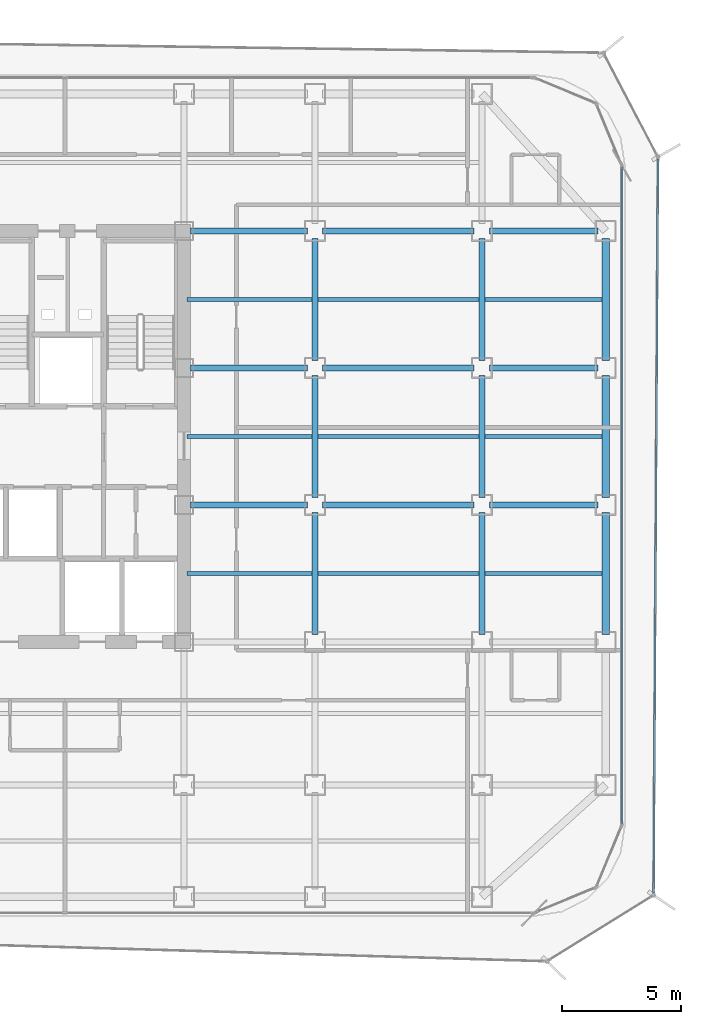
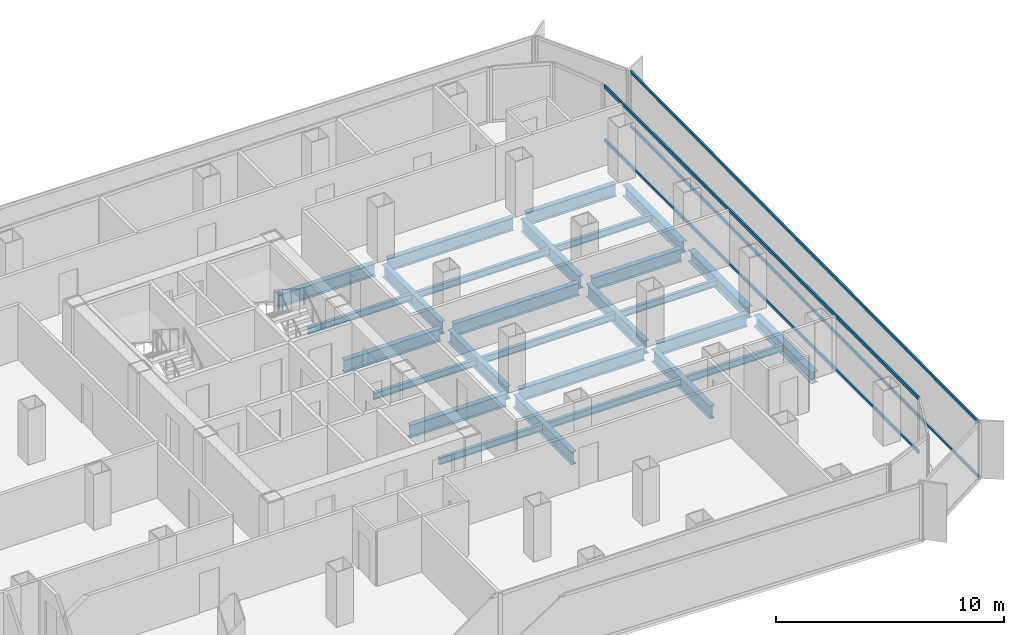
# One storey, part 9 of 21: 27 beams, 4 members, 2 elements without a shape of their own.
"""IFC4 building model written with IfcOpenShell, lengths in metres."""

from ifc_helpers import new_model, si_unit, direction, frame, origin, origin_2d, place, context, subcontext, project, spatial, hollow_rectangle, i_section, extrude, source, transform, mapped, material, layer, layer_set, material_profile, profile_set, type_object, element, aggregate, save


model = new_model("IFC4")

# Units and contexts
model_context = context("Model", 3, precision=1e-05, world=origin(), true_north=direction((0.0, 1.0)))
body_context = subcontext(model_context, "Body", "Model", "MODEL_VIEW")
ifc_project = project(units=[si_unit("LENGTHUNIT", "METRE"), si_unit("AREAUNIT", "SQUARE_METRE"), si_unit("VOLUMEUNIT", "CUBIC_METRE"), si_unit("PLANEANGLEUNIT", "RADIAN"), si_unit("MASSUNIT", "GRAM", prefix="KILO")], contexts=[model_context])

# Site, building, storey
site_placement = place(None, origin())
site = spatial("IfcSite", under=ifc_project, at=site_placement, CompositionType="ELEMENT")
building_placement = place(site_placement, origin())
building = spatial("IfcBuilding", under=site, at=building_placement, Name="Kolveth Station Tower", CompositionType="ELEMENT")
storey_placement = place(building_placement, frame((0.0, 0.0, 131.10009765625)))
storey = spatial("IfcBuildingStorey", under=building, at=storey_placement, Name="L36", CompositionType="ELEMENT", Elevation=131.10009765625)

# Beams
ifc_material_1 = material(Name="Steel S355", Category="steel")
ifc_material_profile_1 = material_profile(ifc_material_1, i_section(OverallWidth=0.323974609375, OverallDepth=0.611083984375, WebThickness=0.0126953125, FlangeThickness=0.01904296875, at=origin_2d()), Name="W610x155")
ifc_profile_set_1 = profile_set([ifc_material_profile_1], Name="Steel S355")
beam_type_1 = type_object("IfcBeamType", Name="Beam_SP2", PredefinedType="SPANDREL", material=ifc_profile_set_1)
shared_shape_1 = source(origin(), body_context, "Body", "SweptSolid", [
    extrude(i_section(OverallWidth=0.323974609375, OverallDepth=0.611083984375, WebThickness=0.0126953125, FlangeThickness=0.01904296875, at=origin_2d()), origin(), (0.0, 0.0, 1.0), 5.10986328125),
])
for number, where, z_axis, x_axis, name in (
    (1, (46.199951171875, 11.820068359375, -0.5556640625), (0.0, 1.0, 0.0), (-1.0, 0.0, 0.0), "L36 Perimeter Spandrel BM-L36-PE-2"),
    (2, (46.199951171875, 17.570068359375, -0.5556640625), (0.0, 1.0, 0.0), (-1.0, 0.0, 0.0), "L36 Perimeter Spandrel BM-L36-PE-3"),
    (3, (46.199951171875, 23.320068359375, -0.5556640625), (0.0, 1.0, 0.0), (-1.0, 0.0, 0.0), "L36 Perimeter Spandrel BM-L36-PE-4"),
):
    element("IfcBeam", number, at=place(storey_placement, frame(where, z_axis=z_axis, x_axis=x_axis)), inside=storey, type_object=beam_type_1, Name=name, PredefinedType="SPANDREL", context=body_context, shape_type="MappedRepresentation", body=[
        mapped(shared_shape_1, transform((0.0, 0.0, 0.0), x_axis=(1.0, 0.0, 0.0), y_axis=(0.0, 1.0, 0.0), z_axis=(0.0, 0.0, 1.0), scale=1.0)),
    ])
ifc_material_profile_2 = material_profile(ifc_material_1, i_section(OverallWidth=0.25390625, OverallDepth=0.68798828125, WebThickness=0.01318359375, FlangeThickness=0.02099609375, at=origin_2d()), Name="W690x152")
ifc_profile_set_2 = profile_set([ifc_material_profile_2], Name="Steel S355")
beam_type_2 = type_object("IfcBeamType", Name="Beam_B4", PredefinedType="BEAM", material=ifc_profile_set_2)
shared_shape_2 = source(origin(), body_context, "Body", "SweptSolid", [
    extrude(i_section(OverallWidth=0.25390625, OverallDepth=0.68798828125, WebThickness=0.01318359375, FlangeThickness=0.02099609375, at=origin_2d()), origin(), (0.0, 0.0, 1.0), 4.559814453125),
])
for number, where, z_axis, x_axis, name in (
    (4, (41.320068359375, 17.25, -0.593994140625), (1.0, 0.0, 0.0), (0.0, 1.0, 0.0), "L36 Primary Girder BM-L36-GY172-7"),
    (5, (41.320068359375, 23.0, -0.593994140625), (1.0, 0.0, 0.0), (0.0, 1.0, 0.0), "L36 Primary Girder BM-L36-GY230-7"),
    (6, (41.320068359375, 28.75, -0.593994140625), (1.0, 0.0, 0.0), (0.0, 1.0, 0.0), "L36 Primary Girder BM-L36-GY287-7"),
):
    element("IfcBeam", number, at=place(storey_placement, frame(where, z_axis=z_axis, x_axis=x_axis)), inside=storey, type_object=beam_type_2, Name=name, PredefinedType="BEAM", context=body_context, shape_type="MappedRepresentation", body=[
        mapped(shared_shape_2, transform((0.0, 0.0, 0.0), x_axis=(1.0, 0.0, 0.0), y_axis=(0.0, 1.0, 0.0), z_axis=(0.0, 0.0, 1.0), scale=1.0)),
    ])
shared_shape_3 = source(origin(), body_context, "Body", "SweptSolid", [
    extrude(i_section(OverallWidth=0.25390625, OverallDepth=0.68798828125, WebThickness=0.01318359375, FlangeThickness=0.02099609375, at=origin_2d()), origin(), (0.0, 0.0, 1.0), 6.35986328125),
])
for number, where, z_axis, x_axis, name in (
    (7, (34.320068359375, 17.25, -0.593994140625), (1.0, 0.0, 0.0), (0.0, 1.0, 0.0), "L36 Primary Girder BM-L36-GY172-6"),
    (8, (34.320068359375, 23.0, -0.593994140625), (1.0, 0.0, 0.0), (0.0, 1.0, 0.0), "L36 Primary Girder BM-L36-GY230-6"),
    (9, (34.320068359375, 28.75, -0.593994140625), (1.0, 0.0, 0.0), (0.0, 1.0, 0.0), "L36 Primary Girder BM-L36-GY287-6"),
):
    element("IfcBeam", number, at=place(storey_placement, frame(where, z_axis=z_axis, x_axis=x_axis)), inside=storey, type_object=beam_type_2, Name=name, PredefinedType="BEAM", context=body_context, shape_type="MappedRepresentation", body=[
        mapped(shared_shape_3, transform((0.0, 0.0, 0.0), x_axis=(1.0, 0.0, 0.0), y_axis=(0.0, 1.0, 0.0), z_axis=(0.0, 0.0, 1.0), scale=1.0)),
    ])
shared_shape_4 = source(origin(), body_context, "Body", "SweptSolid", [
    extrude(i_section(OverallWidth=0.25390625, OverallDepth=0.68798828125, WebThickness=0.01318359375, FlangeThickness=0.02099609375, at=origin_2d()), origin(), (0.0, 0.0, 1.0), 4.89990234375),
])
for number, where, z_axis, x_axis, name in (
    (10, (28.780029296875, 17.25, -0.593994140625), (1.0, 0.0, 0.0), (0.0, 1.0, 0.0), "L36 Primary Girder BM-L36-GY172-5"),
    (11, (28.780029296875, 23.0, -0.593994140625), (1.0, 0.0, 0.0), (0.0, 1.0, 0.0), "L36 Primary Girder BM-L36-GY230-5"),
    (12, (28.780029296875, 28.75, -0.593994140625), (1.0, 0.0, 0.0), (0.0, 1.0, 0.0), "L36 Primary Girder BM-L36-GY287-5"),
):
    element("IfcBeam", number, at=place(storey_placement, frame(where, z_axis=z_axis, x_axis=x_axis)), inside=storey, type_object=beam_type_2, Name=name, PredefinedType="BEAM", context=body_context, shape_type="MappedRepresentation", body=[
        mapped(shared_shape_4, transform((0.0, 0.0, 0.0), x_axis=(1.0, 0.0, 0.0), y_axis=(0.0, 1.0, 0.0), z_axis=(0.0, 0.0, 1.0), scale=1.0)),
    ])
shared_shape_5 = source(origin(), body_context, "Body", "SweptSolid", [
    extrude(i_section(OverallWidth=0.25390625, OverallDepth=0.68798828125, WebThickness=0.01318359375, FlangeThickness=0.02099609375, at=origin_2d()), origin(), (0.0, 0.0, 1.0), 5.10986328125),
])
for number, where, z_axis, x_axis, name in (
    (13, (34.0, 11.820068359375, -0.593994140625), (0.0, 1.0, 0.0), (-1.0, 0.0, 0.0), "L36 Primary Girder BM-L36-GX340-3"),
    (14, (34.0, 17.570068359375, -0.593994140625), (0.0, 1.0, 0.0), (-1.0, 0.0, 0.0), "L36 Primary Girder BM-L36-GX340-4"),
    (15, (34.0, 23.320068359375, -0.593994140625), (0.0, 1.0, 0.0), (-1.0, 0.0, 0.0), "L36 Primary Girder BM-L36-GX340-5"),
    (16, (41.0, 11.820068359375, -0.593994140625), (0.0, 1.0, 0.0), (-1.0, 0.0, 0.0), "L36 Primary Girder BM-L36-GX410-3"),
    (17, (41.0, 17.570068359375, -0.593994140625), (0.0, 1.0, 0.0), (-1.0, 0.0, 0.0), "L36 Primary Girder BM-L36-GX410-4"),
    (18, (41.0, 23.320068359375, -0.593994140625), (0.0, 1.0, 0.0), (-1.0, 0.0, 0.0), "L36 Primary Girder BM-L36-GX410-5"),
):
    element("IfcBeam", number, at=place(storey_placement, frame(where, z_axis=z_axis, x_axis=x_axis)), inside=storey, type_object=beam_type_2, Name=name, PredefinedType="BEAM", context=body_context, shape_type="MappedRepresentation", body=[
        mapped(shared_shape_5, transform((0.0, 0.0, 0.0), x_axis=(1.0, 0.0, 0.0), y_axis=(0.0, 1.0, 0.0), z_axis=(0.0, 0.0, 1.0), scale=1.0)),
    ])
ifc_material_profile_3 = material_profile(ifc_material_1, i_section(OverallWidth=0.1708984375, OverallDepth=0.35205078125, WebThickness=0.0068359375, FlangeThickness=0.009765625, at=origin_2d()), Name="W360x44")
ifc_profile_set_3 = profile_set([ifc_material_profile_3], Name="Steel S355")
beam_type_3 = type_object("IfcBeamType", Name="Beam_J2", PredefinedType="JOIST", material=ifc_profile_set_3)
shared_shape_6 = source(origin(), body_context, "Body", "SweptSolid", [
    extrude(i_section(OverallWidth=0.1708984375, OverallDepth=0.35205078125, WebThickness=0.0068359375, FlangeThickness=0.009765625, at=origin_2d()), origin(), (0.0, 0.0, 1.0), 4.9150390625),
])
for number, where, z_axis, x_axis, name in (
    (19, (41.125, 14.375, -0.426025390625), (1.0, 0.0, 0.0), (0.0, 1.0, 0.0), "L36 Secondary Joist JST-L36-7-3"),
    (20, (41.125, 20.125, -0.426025390625), (1.0, 0.0, 0.0), (0.0, 1.0, 0.0), "L36 Secondary Joist JST-L36-7-4"),
    (21, (41.125, 25.875, -0.426025390625), (1.0, 0.0, 0.0), (0.0, 1.0, 0.0), "L36 Secondary Joist JST-L36-7-5"),
):
    element("IfcBeam", number, at=place(storey_placement, frame(where, z_axis=z_axis, x_axis=x_axis)), inside=storey, type_object=beam_type_3, Name=name, PredefinedType="JOIST", context=body_context, shape_type="MappedRepresentation", body=[
        mapped(shared_shape_6, transform((0.0, 0.0, 0.0), x_axis=(1.0, 0.0, 0.0), y_axis=(0.0, 1.0, 0.0), z_axis=(0.0, 0.0, 1.0), scale=1.0)),
    ])
shared_shape_7 = source(origin(), body_context, "Body", "SweptSolid", [
    extrude(i_section(OverallWidth=0.1708984375, OverallDepth=0.35205078125, WebThickness=0.0068359375, FlangeThickness=0.009765625, at=origin_2d()), origin(), (0.0, 0.0, 1.0), 6.75),
])
for number, where, z_axis, x_axis, name in (
    (22, (34.125, 14.375, -0.426025390625), (1.0, 0.0, 0.0), (0.0, 1.0, 0.0), "L36 Secondary Joist JST-L36-6-3"),
    (23, (34.125, 20.125, -0.426025390625), (1.0, 0.0, 0.0), (0.0, 1.0, 0.0), "L36 Secondary Joist JST-L36-6-4"),
    (24, (34.125, 25.875, -0.426025390625), (1.0, 0.0, 0.0), (0.0, 1.0, 0.0), "L36 Secondary Joist JST-L36-6-5"),
):
    element("IfcBeam", number, at=place(storey_placement, frame(where, z_axis=z_axis, x_axis=x_axis)), inside=storey, type_object=beam_type_3, Name=name, PredefinedType="JOIST", context=body_context, shape_type="MappedRepresentation", body=[
        mapped(shared_shape_7, transform((0.0, 0.0, 0.0), x_axis=(1.0, 0.0, 0.0), y_axis=(0.0, 1.0, 0.0), z_axis=(0.0, 0.0, 1.0), scale=1.0)),
    ])
shared_shape_8 = source(origin(), body_context, "Body", "SweptSolid", [
    extrude(i_section(OverallWidth=0.1708984375, OverallDepth=0.35205078125, WebThickness=0.0068359375, FlangeThickness=0.009765625, at=origin_2d()), origin(), (0.0, 0.0, 1.0), 5.25),
])
for number, where, z_axis, x_axis, name in (
    (25, (28.625, 14.375, -0.426025390625), (1.0, 0.0, 0.0), (0.0, 1.0, 0.0), "L36 Secondary Joist JST-L36-5-3"),
    (26, (28.625, 20.125, -0.426025390625), (1.0, 0.0, 0.0), (0.0, 1.0, 0.0), "L36 Secondary Joist JST-L36-5-4"),
    (27, (28.625, 25.875, -0.426025390625), (1.0, 0.0, 0.0), (0.0, 1.0, 0.0), "L36 Secondary Joist JST-L36-5-5"),
):
    element("IfcBeam", number, at=place(storey_placement, frame(where, z_axis=z_axis, x_axis=x_axis)), inside=storey, type_object=beam_type_3, Name=name, PredefinedType="JOIST", context=body_context, shape_type="MappedRepresentation", body=[
        mapped(shared_shape_8, transform((0.0, 0.0, 0.0), x_axis=(1.0, 0.0, 0.0), y_axis=(0.0, 1.0, 0.0), z_axis=(0.0, 0.0, 1.0), scale=1.0)),
    ])

# Curtain wall, members
ifc_material_2 = material(Name="Aluminium 6063-T6 and low-E dark glass", Category="aluminium")
ifc_layer_1 = layer(ifc_material_2, 0.18994140625)
ifc_layer_set_1 = layer_set([ifc_layer_1], Name="Aluminium 6063-T6 and low-E dark glass")
curtain_wall_type_1 = type_object("IfcCurtainWallType", Name="CurtainWall_CW-Z2", PredefinedType="NOTDEFINED", material=ifc_layer_set_1)
curtain_wall_1_placement = place(storey_placement, origin())
curtain_wall_1 = element("IfcCurtainWall", 28, at=curtain_wall_1_placement, inside=storey, type_object=curtain_wall_type_1, Name="L36 Inner Thermal Curtain Wall 3", PredefinedType="NOTDEFINED")
ifc_material_3 = material(Name="Black anodized aluminium 6063-T6", Category="aluminium")
ifc_material_profile_4 = material_profile(ifc_material_3, hollow_rectangle(XDim=0.080078125, YDim=0.169921875, WallThickness=0.0048828125, at=origin_2d()), Name="ALU-80x170x5")
ifc_profile_set_4 = profile_set([ifc_material_profile_4], Name="Black anodized aluminium 6063-T6")
member_type_1 = type_object("IfcMemberType", Name="Transom_TR2", PredefinedType="USERDEFINED", material=ifc_profile_set_4)
shared_shape_9 = source(origin(), body_context, "Body", "SweptSolid", [
    extrude(hollow_rectangle(XDim=0.080078125, YDim=0.169921875, WallThickness=0.0048828125, at=origin_2d()), origin(), (0.0, 0.0, 1.0), 27.5400390625),
])
member_1_placement = place(storey_placement, frame((46.8798828125, 3.8798828125, 0.039794921875), z_axis=(0.0, 1.0, 0.0), x_axis=(-1.0, 0.0, 0.0)))
member_1 = element("IfcMember", 29, at=member_1_placement, type_object=member_type_1, Name="CW-Z2 transom 1.1", ObjectType="TRANSOM", PredefinedType="USERDEFINED", context=body_context, shape_type="MappedRepresentation", body=[
    mapped(shared_shape_9, transform((0.0, 0.0, 0.0), x_axis=(1.0, 0.0, 0.0), y_axis=(0.0, 1.0, 0.0), z_axis=(0.0, 0.0, 1.0), scale=1.0)),
])
member_2_placement = place(storey_placement, frame((46.8798828125, 3.8798828125, 2.909912109375), z_axis=(0.0, 1.0, 0.0), x_axis=(-1.0, 0.0, 0.0)))
member_2 = element("IfcMember", 30, at=member_2_placement, type_object=member_type_1, Name="CW-Z2 transom 1.2", ObjectType="TRANSOM", PredefinedType="USERDEFINED", context=body_context, shape_type="MappedRepresentation", body=[
    mapped(shared_shape_9, transform((0.0, 0.0, 0.0), x_axis=(1.0, 0.0, 0.0), y_axis=(0.0, 1.0, 0.0), z_axis=(0.0, 0.0, 1.0), scale=1.0)),
])
aggregate(curtain_wall_1, [member_1, member_2])

ifc_material_4 = material(Name="Black anodized aluminium 6063-T6 and dark solar glass", Category="aluminium")
ifc_layer_2 = layer(ifc_material_4, 0.159912109375)
ifc_layer_set_2 = layer_set([ifc_layer_2], Name="Black anodized aluminium 6063-T6 and dark solar glass")
curtain_wall_type_2 = type_object("IfcCurtainWallType", Name="OUTER SKIN CW-OS", PredefinedType="NOTDEFINED", material=ifc_layer_set_2)
curtain_wall_2_placement = place(storey_placement, origin())
curtain_wall_2 = element("IfcCurtainWall", 31, at=curtain_wall_2_placement, inside=storey, type_object=curtain_wall_type_2, Name="L36 Outer Ventilated Skin Curtain Wall 2", PredefinedType="NOTDEFINED")
ifc_material_profile_5 = material_profile(ifc_material_3, hollow_rectangle(XDim=0.080078125, YDim=0.14990234375, WallThickness=0.0048828125, at=origin_2d()), Name="ALU-80x150x5")
ifc_profile_set_5 = profile_set([ifc_material_profile_5], Name="Black anodized aluminium 6063-T6")
member_type_2 = type_object("IfcMemberType", Name="Transom_TR-OS", PredefinedType="USERDEFINED", material=ifc_profile_set_5)
shared_shape_10 = source(origin(), body_context, "Body", "SweptSolid", [
    extrude(hollow_rectangle(XDim=0.080078125, YDim=0.14990234375, WallThickness=0.0048828125, at=origin_2d()), origin(), (0.0, 0.0, 1.0), 30.808349609375),
])
member_3_placement = place(storey_placement, frame((48.21435546875, 0.95751953125, 0.039794921875), z_axis=(0.005927512376, 0.999982432144, 0.0), x_axis=(-0.999982432144, 0.005927512376, 0.0)))
member_3 = element("IfcMember", 32, at=member_3_placement, type_object=member_type_2, Name="CW-OS transom 1.1", ObjectType="TRANSOM", PredefinedType="USERDEFINED", context=body_context, shape_type="MappedRepresentation", body=[
    mapped(shared_shape_10, transform((0.0, 0.0, 0.0), x_axis=(1.0, 0.0, 0.0), y_axis=(0.0, 1.0, 0.0), z_axis=(0.0, 0.0, 1.0), scale=1.0)),
])
member_4_placement = place(storey_placement, frame((48.21435546875, 0.95751953125, 2.949951171875), z_axis=(0.005927512376, 0.999982432144, 0.0), x_axis=(-0.999982432144, 0.005927512376, 0.0)))
member_4 = element("IfcMember", 33, at=member_4_placement, type_object=member_type_2, Name="CW-OS transom 1.2", ObjectType="TRANSOM", PredefinedType="USERDEFINED", context=body_context, shape_type="MappedRepresentation", body=[
    mapped(shared_shape_10, transform((0.0, 0.0, 0.0), x_axis=(1.0, 0.0, 0.0), y_axis=(0.0, 1.0, 0.0), z_axis=(0.0, 0.0, 1.0), scale=1.0)),
])
aggregate(curtain_wall_2, [member_3, member_4])

save(model, "model.ifc")
